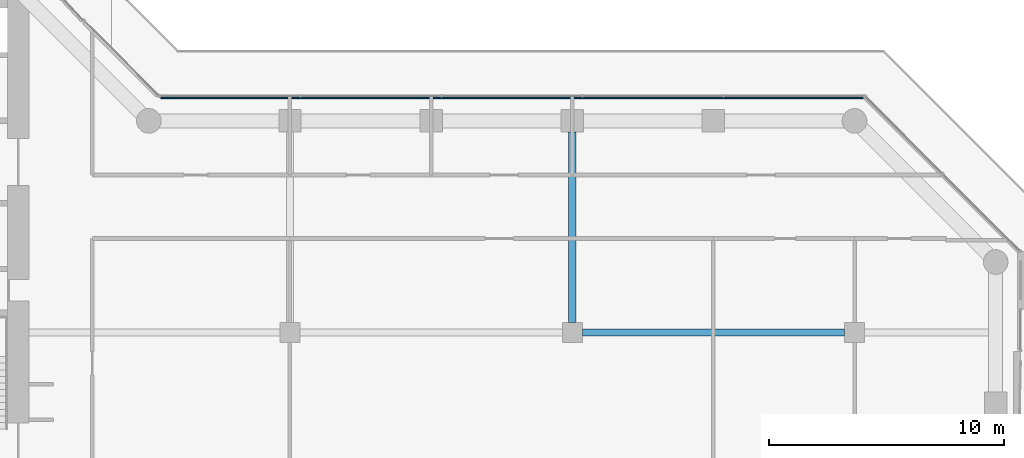
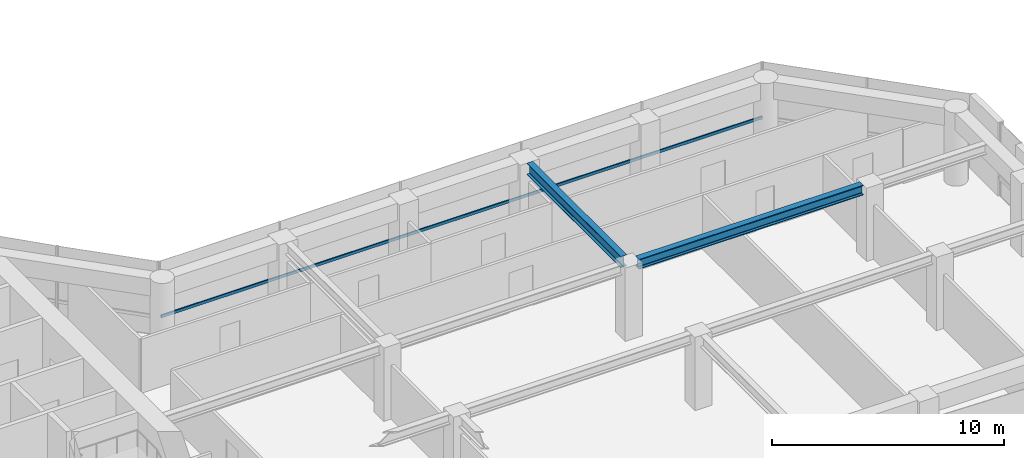
# One storey, part 11 of 28: 2 beams, 1 member, 1 element without a shape of its own.
"""IFC4 building model written with IfcOpenShell, lengths in metres."""

from ifc_helpers import new_model, si_unit, direction, frame, origin, origin_2d, place, context, subcontext, project, spatial, rectangle, i_section, extrude, material, layer, layer_set, material_profile, profile_set, type_object, element, aggregate, save


model = new_model("IFC4")

# Units and contexts
model_context = context("Model", 3, precision=1e-05, world=origin(), true_north=direction((0.0, 1.0)))
body_context = subcontext(model_context, "Body", "Model", "MODEL_VIEW")
ifc_project = project(units=[si_unit("LENGTHUNIT", "METRE"), si_unit("AREAUNIT", "SQUARE_METRE"), si_unit("VOLUMEUNIT", "CUBIC_METRE"), si_unit("PLANEANGLEUNIT", "RADIAN"), si_unit("MASSUNIT", "GRAM", prefix="KILO")], contexts=[model_context])

# Site, building, storey
site_placement = place(None, origin())
site = spatial("IfcSite", under=ifc_project, at=site_placement, CompositionType="ELEMENT")
building_placement = place(site_placement, origin())
building = spatial("IfcBuilding", under=site, at=building_placement, Name="Welwitschia Terrace Campus", CompositionType="ELEMENT")
storey_placement = place(building_placement, frame((0.0, 0.0, 45.800048828125)))
storey = spatial("IfcBuildingStorey", under=building, at=storey_placement, Name="L10", CompositionType="ELEMENT", Elevation=45.800048828125)

# Beams
ifc_material_1 = material(Name="Steel S355", Category="steel")
ifc_material_profile_1 = material_profile(ifc_material_1, i_section(OverallWidth=0.305908203125, OverallDepth=0.52392578125, WebThickness=0.02099609375, FlangeThickness=0.0400390625, FilletRadius=0.027099609375, at=origin_2d()))
ifc_profile_set_1 = profile_set([ifc_material_profile_1], Name="Steel S355")
beam_type_1 = type_object("IfcBeamType", Name="Interior girder HE 500 M", PredefinedType="BEAM", material=ifc_profile_set_1)
beam_1_placement = place(storey_placement, frame((48.425537109375, 11.0, 3.587890625), z_axis=(1.0, 0.0, 0.0), x_axis=(0.0, 1.0, 0.0)))
element("IfcBeam", 1, at=beam_1_placement, inside=storey, type_object=beam_type_1, Name="Girder GB2", PredefinedType="BEAM", context=body_context, shape_type="SweptSolid", body=[
    extrude(i_section(OverallWidth=0.305908203125, OverallDepth=0.52392578125, WebThickness=0.02099609375, FlangeThickness=0.0400390625, FilletRadius=0.027099609375, at=origin_2d()), origin(), (0.0, 0.0, 1.0), 11.14892578125),
])
ifc_material_2 = material(Name="Steel S355", Category="steel")
ifc_material_profile_2 = material_profile(ifc_material_2, i_section(OverallWidth=0.300048828125, OverallDepth=0.60009765625, WebThickness=0.015380859375, FlangeThickness=0.030029296875, FilletRadius=0.027099609375, at=origin_2d()))
ifc_profile_set_2 = profile_set([ifc_material_profile_2], Name="Steel S355")
beam_type_2 = type_object("IfcBeamType", Name="Primary beam HE 600 B", PredefinedType="BEAM", material=ifc_profile_set_2)
beam_2_placement = place(storey_placement, frame((48.0, 19.5244140625, 3.550048828125), z_axis=(0.0, -1.0, 0.0), x_axis=(1.0, 0.0, 0.0)))
element("IfcBeam", 2, at=beam_2_placement, inside=storey, type_object=beam_type_2, Name="Primary beam PB2", PredefinedType="BEAM", context=body_context, shape_type="SweptSolid", body=[
    extrude(i_section(OverallWidth=0.300048828125, OverallDepth=0.60009765625, WebThickness=0.015380859375, FlangeThickness=0.030029296875, FilletRadius=0.027099609375, at=origin_2d()), origin(), (0.0, 0.0, 1.0), 8.098876953125),
])

# Curtain wall, member
ifc_material_3 = material(Name="Bronze anodised aluminium", Category="aluminium")
ifc_layer = layer(ifc_material_3, 0.1201171875)
ifc_layer_set = layer_set([ifc_layer], Name="Bronze anodised aluminium")
curtain_wall_type = type_object("IfcCurtainWallType", Name="Curtain wall CW2 tower 6000", PredefinedType="NOTDEFINED", material=ifc_layer_set)
curtain_wall_placement = place(storey_placement, origin())
curtain_wall = element("IfcCurtainWall", 3, at=curtain_wall_placement, inside=storey, type_object=curtain_wall_type, Name="CW L10.6.0", PredefinedType="NOTDEFINED")
ifc_material_4 = material(Name="Bronze anodised aluminium", Category="aluminium")
ifc_material_profile_3 = material_profile(ifc_material_4, rectangle(XDim=0.06005859375, YDim=0.14990234375, at=origin_2d()))
ifc_profile_set_3 = profile_set([ifc_material_profile_3], Name="Bronze anodised aluminium")
member_type = type_object("IfcMemberType", Name="Transom 60x150", PredefinedType="USERDEFINED", material=ifc_profile_set_3)
member_placement = place(storey_placement, frame((60.378173828125, 20.968017578125, 1.0), z_axis=(-1.0, 0.0, 0.0), x_axis=(0.0, -1.0, 0.0)))
member = element("IfcMember", 4, at=member_placement, type_object=member_type, Name="Transom L10.6.0", ObjectType="TRANSOM", PredefinedType="USERDEFINED", context=body_context, shape_type="SweptSolid", body=[
    extrude(rectangle(XDim=0.06005859375, YDim=0.14990234375, at=origin_2d()), origin(), (0.0, 0.0, 1.0), 29.8798828125),
])
aggregate(curtain_wall, [member])

save(model, "model.ifc")
